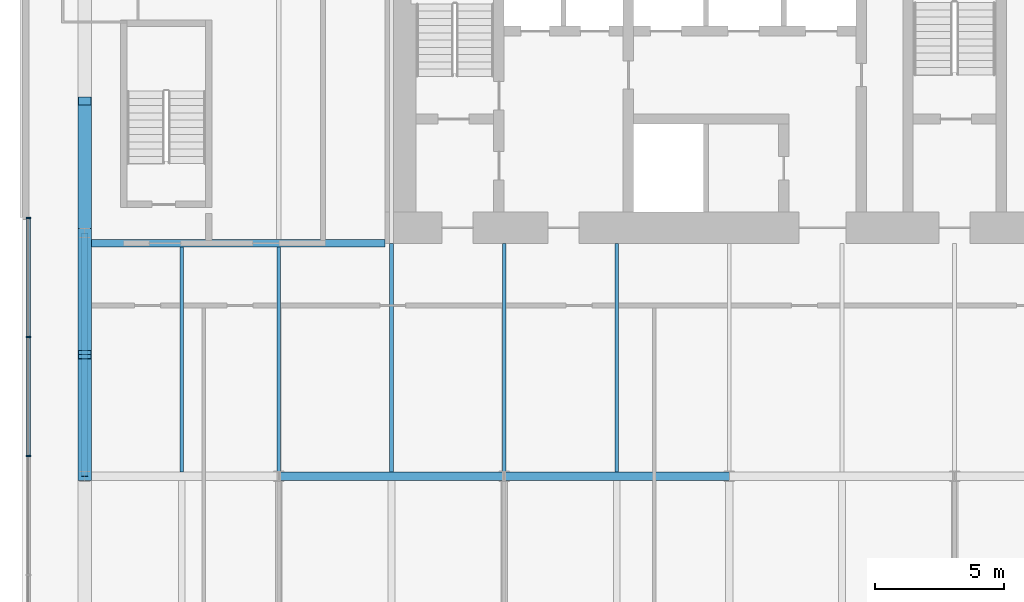
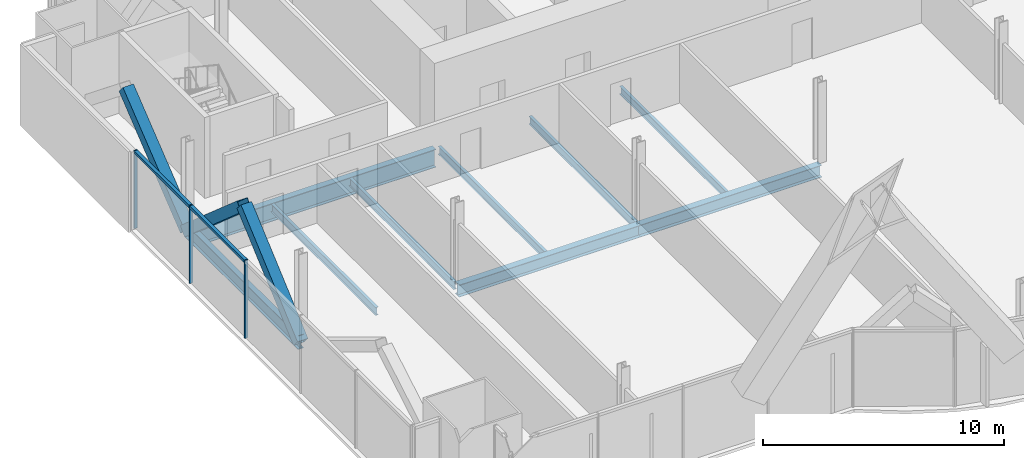
# One storey, part 7 of 22: 9 beams, 8 members, 1 element without a shape of its own.
"""IFC4 building model written with IfcOpenShell, lengths in metres."""

from ifc_helpers import new_model, si_unit, direction, frame, origin, origin_2d, place, context, subcontext, project, spatial, rectangle, hollow_rectangle, i_section, extrude, material, material_profile, profile_set, type_object, element, aggregate, save


model = new_model("IFC4")

# Units and contexts
model_context = context("Model", 3, precision=1e-05, world=origin(), true_north=direction((0.0, 1.0)))
body_context = subcontext(model_context, "Body", "Model", "MODEL_VIEW")
ifc_project = project(units=[si_unit("LENGTHUNIT", "METRE"), si_unit("AREAUNIT", "SQUARE_METRE"), si_unit("VOLUMEUNIT", "CUBIC_METRE"), si_unit("PLANEANGLEUNIT", "RADIAN"), si_unit("MASSUNIT", "GRAM", prefix="KILO")], contexts=[model_context])

# Site, building, storey
site_placement = place(None, origin())
site = spatial("IfcSite", under=ifc_project, at=site_placement, CompositionType="ELEMENT")
building_placement = place(site_placement, origin())
building = spatial("IfcBuilding", under=site, at=building_placement, Name="Bicima Exchange Tower", CompositionType="ELEMENT")
storey_placement = place(building_placement, frame((0.0, 0.0, 102.199951171875)))
storey = spatial("IfcBuildingStorey", under=building, at=storey_placement, Name="L21", CompositionType="ELEMENT", Elevation=102.199951171875)

# Beam
ifc_material_1 = material(Name="Steel ASTM A992 Gr 50", Category="steel")
ifc_material_profile_1 = material_profile(ifc_material_1, i_section(OverallWidth=0.3046875, OverallDepth=0.911865234375, WebThickness=0.015869140625, FlangeThickness=0.02392578125, at=origin_2d()))
ifc_profile_set_1 = profile_set([ifc_material_profile_1], Name="Steel ASTM A992 Gr 50")
beam_type_1 = type_object("IfcBeamType", Name="Core-line girder W36x150", PredefinedType="BEAM", material=ifc_profile_set_1)
beam_1_placement = place(storey_placement, frame((-22.0, -13.0, -0.60595703125), z_axis=(-1.0, 0.0, 0.0), x_axis=(0.0, -1.0, 0.0)))
element("IfcBeam", 1, at=beam_1_placement, inside=storey, type_object=beam_type_1, Name="Core-line girder", PredefinedType="BEAM", context=body_context, shape_type="SweptSolid", body=[
    extrude(i_section(OverallWidth=0.3046875, OverallDepth=0.911865234375, WebThickness=0.015869140625, FlangeThickness=0.02392578125, at=origin_2d()), origin(), (0.0, 0.0, 1.0), 11.60009765625),
])

# Curtain wall, members
ifc_material_2 = material(Name="Anodised bronze aluminium", Category="aluminium")
curtain_wall_type = type_object("IfcCurtainWallType", Name="End face glass wall", PredefinedType="NOTDEFINED", material=ifc_material_2)
curtain_wall_placement = place(storey_placement, origin())
curtain_wall = element("IfcCurtainWall", 2, at=curtain_wall_placement, inside=storey, type_object=curtain_wall_type, Name="End face glass wall L21 run 2", PredefinedType="NOTDEFINED")
ifc_material_profile_2 = material_profile(ifc_material_2, rectangle(XDim=0.159912109375, YDim=0.06005859375, at=origin_2d()))
ifc_profile_set_2 = profile_set([ifc_material_profile_2], Name="Anodised bronze aluminium")
member_type_1 = type_object("IfcMemberType", Name="End face glass wall mullion 60 x 160", PredefinedType="MULLION", material=ifc_profile_set_2)
member_1_placement = place(storey_placement, frame((-35.77001953125, -12.030029296875, 0.0), z_axis=(0.0, 0.0, 1.0), x_axis=(1.0, 0.0, 0.0)))
member_1 = element("IfcMember", 3, at=member_1_placement, type_object=member_type_1, Name="End face glass wall mullion 1", PredefinedType="MULLION", context=body_context, shape_type="SweptSolid", body=[
    extrude(rectangle(XDim=0.159912109375, YDim=0.06005859375, at=origin_2d()), origin(), (0.0, 0.0, 1.0), 3.949951171875),
])
member_2_placement = place(storey_placement, frame((-35.77001953125, -16.6240234375, 0.0), z_axis=(0.0, 0.0, 1.0), x_axis=(1.0, 0.0, 0.0)))
member_2 = element("IfcMember", 4, at=member_2_placement, type_object=member_type_1, Name="End face glass wall mullion 2", PredefinedType="MULLION", context=body_context, shape_type="SweptSolid", body=[
    extrude(rectangle(XDim=0.159912109375, YDim=0.06005859375, at=origin_2d()), origin(), (0.0, 0.0, 1.0), 3.949951171875),
])
member_3_placement = place(storey_placement, frame((-35.77001953125, -21.218017578125, 0.0), z_axis=(0.0, 0.0, 1.0), x_axis=(1.0, 0.0, 0.0)))
member_3 = element("IfcMember", 5, at=member_3_placement, type_object=member_type_1, Name="End face glass wall mullion 3", PredefinedType="MULLION", context=body_context, shape_type="SweptSolid", body=[
    extrude(rectangle(XDim=0.159912109375, YDim=0.06005859375, at=origin_2d()), origin(), (0.0, 0.0, 1.0), 3.949951171875),
])
ifc_material_profile_3 = material_profile(ifc_material_2, rectangle(XDim=0.159912109375, YDim=0.139892578125, at=origin_2d()))
ifc_profile_set_3 = profile_set([ifc_material_profile_3], Name="Anodised bronze aluminium")
member_type_2 = type_object("IfcMemberType", Name="End face glass wall transom 140 x 160", PredefinedType="USERDEFINED", material=ifc_profile_set_3)
member_4_placement = place(storey_placement, frame((-35.77001953125, -12.06005859375, 3.880126953125), z_axis=(0.0, -1.0, 0.0), x_axis=(1.0, 0.0, 0.0)))
member_4 = element("IfcMember", 6, at=member_4_placement, type_object=member_type_2, Name="End face glass wall transom 1.1", ObjectType="TRANSOM", PredefinedType="USERDEFINED", context=body_context, shape_type="SweptSolid", body=[
    extrude(rectangle(XDim=0.159912109375, YDim=0.139892578125, at=origin_2d()), origin(), (0.0, 0.0, 1.0), 4.533935546875),
])
member_5_placement = place(storey_placement, frame((-35.77001953125, -16.654052734375, 3.880126953125), z_axis=(0.0, -1.0, 0.0), x_axis=(1.0, 0.0, 0.0)))
member_5 = element("IfcMember", 7, at=member_5_placement, type_object=member_type_2, Name="End face glass wall transom 2.1", ObjectType="TRANSOM", PredefinedType="USERDEFINED", context=body_context, shape_type="SweptSolid", body=[
    extrude(rectangle(XDim=0.159912109375, YDim=0.139892578125, at=origin_2d()), origin(), (0.0, 0.0, 1.0), 4.533935546875),
])
aggregate(curtain_wall, [member_1, member_2, member_3, member_4, member_5])

# Beams
ifc_material_profile_4 = material_profile(ifc_material_1, i_section(OverallWidth=0.256591796875, OverallDepth=0.693359375, WebThickness=0.014404296875, FlangeThickness=0.023681640625, at=origin_2d()))
ifc_profile_set_4 = profile_set([ifc_material_profile_4], Name="Steel ASTM A992 Gr 50")
beam_type_2 = type_object("IfcBeamType", Name="End girder W27x114", PredefinedType="BEAM", material=ifc_profile_set_4)
beam_2_placement = place(storey_placement, frame((-33.60009765625, -12.60009765625, -0.49658203125), z_axis=(0.0, -1.0, 0.0), x_axis=(1.0, 0.0, 0.0)))
element("IfcBeam", 8, at=beam_2_placement, inside=storey, type_object=beam_type_2, Name="End girder", PredefinedType="BEAM", context=body_context, shape_type="SweptSolid", body=[
    extrude(i_section(OverallWidth=0.256591796875, OverallDepth=0.693359375, WebThickness=0.014404296875, FlangeThickness=0.023681640625, at=origin_2d()), origin(), (0.0, 0.0, 1.0), 9.39990234375),
])
ifc_material_profile_5 = material_profile(ifc_material_1, i_section(OverallWidth=0.140380859375, OverallDepth=0.40380859375, WebThickness=0.007080078125, FlangeThickness=0.01123046875, at=origin_2d()))
ifc_profile_set_5 = profile_set([ifc_material_profile_5], Name="Steel ASTM A992 Gr 50")
beam_type_3 = type_object("IfcBeamType", Name="Floor beam W16x31", PredefinedType="JOIST", material=ifc_profile_set_5)
for number, where, z_axis, x_axis, name in (
    (9, (-29.85009765625, -13.15234375, -0.351806640625), (0.0, -1.0, 0.0), (1.0, 0.0, 0.0), "Floor beam"),
    (10, (-26.10009765625, -13.15234375, -0.351806640625), (0.0, -1.0, 0.0), (1.0, 0.0, 0.0), "Floor beam"),
):
    element("IfcBeam", number, at=place(storey_placement, frame(where, z_axis=z_axis, x_axis=x_axis)), inside=storey, type_object=beam_type_3, Name=name, PredefinedType="JOIST", context=body_context, shape_type="SweptSolid", body=[
        extrude(i_section(OverallWidth=0.140380859375, OverallDepth=0.40380859375, WebThickness=0.007080078125, FlangeThickness=0.01123046875, at=origin_2d()), origin(), (0.0, 0.0, 1.0), 8.68505859375),
    ])
for number, where, z_axis, x_axis, name in (
    (11, (-21.75, -13.0, -0.351806640625), (0.0, -1.0, 0.0), (1.0, 0.0, 0.0), "Floor beam"),
    (12, (-17.39990234375, -13.0, -0.351806640625), (0.0, -1.0, 0.0), (1.0, 0.0, 0.0), "Floor beam"),
    (13, (-13.050048828125, -13.0, -0.351806640625), (0.0, -1.0, 0.0), (1.0, 0.0, 0.0), "Floor beam"),
):
    element("IfcBeam", number, at=place(storey_placement, frame(where, z_axis=z_axis, x_axis=x_axis)), inside=storey, type_object=beam_type_3, Name=name, PredefinedType="JOIST", context=body_context, shape_type="SweptSolid", body=[
        extrude(i_section(OverallWidth=0.140380859375, OverallDepth=0.40380859375, WebThickness=0.007080078125, FlangeThickness=0.01123046875, at=origin_2d()), origin(), (0.0, 0.0, 1.0), 8.83740234375),
    ])

# Members
ifc_material_3 = material(Name="Steel ASTM A572 Gr 50", Category="steel")
ifc_material_profile_6 = material_profile(ifc_material_3, hollow_rectangle(XDim=0.508056640625, YDim=0.508056640625, WallThickness=0.0146484375, at=origin_2d()))
ifc_profile_set_6 = profile_set([ifc_material_profile_6], Name="Steel ASTM A572 Gr 50")
member_type_3 = type_object("IfcMemberType", Name="Mega brace HSS20x20x5/8", PredefinedType="BRACE", material=ifc_profile_set_6)
member_6_placement = place(storey_placement, frame((-33.60009765625, -12.60009765625, -0.49658203125), z_axis=(0.0, 0.779392460608, 0.626536026376), x_axis=(-1.0, 0.0, 0.0)))
element("IfcMember", 14, at=member_6_placement, inside=storey, type_object=member_type_3, Name="Mega brace west end", PredefinedType="BRACE", context=body_context, shape_type="SweptSolid", body=[
    extrude(hollow_rectangle(XDim=0.508056640625, YDim=0.508056640625, WallThickness=0.0146484375, at=origin_2d()), origin(), (0.0, 0.0, 1.0), 6.543701171875),
])
for number, where, z_axis, x_axis, name in (
    (15, (-33.60009765625, -12.60009765625, -0.49658203125), (0.0, -0.753577308711, 0.657359292774), (1.0, 0.0, 0.0), "Mega brace west end"),
    (16, (-33.60009765625, -22.0, -0.49658203125), (0.0, 0.753577308711, 0.657359292774), (-1.0, 0.0, 0.0), "Mega brace west end"),
):
    element("IfcMember", number, at=place(storey_placement, frame(where, z_axis=z_axis, x_axis=x_axis)), inside=storey, type_object=member_type_3, Name=name, PredefinedType="BRACE", context=body_context, shape_type="SweptSolid", body=[
        extrude(hollow_rectangle(XDim=0.508056640625, YDim=0.508056640625, WallThickness=0.0146484375, at=origin_2d()), origin(), (0.0, 0.0, 1.0), 6.23681640625),
    ])

# Beams
ifc_material_profile_7 = material_profile(ifc_material_1, i_section(OverallWidth=0.3251953125, OverallDepth=0.612060546875, WebThickness=0.0126953125, FlangeThickness=0.01904296875, at=origin_2d()))
ifc_profile_set_7 = profile_set([ifc_material_profile_7], Name="Steel ASTM A992 Gr 50")
beam_type_4 = type_object("IfcBeamType", Name="Row girder W24x104", PredefinedType="BEAM", material=ifc_profile_set_7)
beam_3_placement = place(storey_placement, frame((-26.10009765625, -22.0, -0.4560546875), z_axis=(1.0, 0.0, 0.0), x_axis=(0.0, 1.0, 0.0)))
element("IfcBeam", 17, at=beam_3_placement, inside=storey, type_object=beam_type_4, Name="Row girder", PredefinedType="BEAM", context=body_context, shape_type="SweptSolid", body=[
    extrude(i_section(OverallWidth=0.3251953125, OverallDepth=0.612060546875, WebThickness=0.0126953125, FlangeThickness=0.01904296875, at=origin_2d()), origin(), (0.0, 0.0, 1.0), 8.7001953125),
])
beam_4_placement = place(storey_placement, frame((-17.39990234375, -22.0, -0.4560546875), z_axis=(1.0, 0.0, 0.0), x_axis=(0.0, 1.0, 0.0)))
element("IfcBeam", 18, at=beam_4_placement, inside=storey, type_object=beam_type_4, Name="Row girder", PredefinedType="BEAM", context=body_context, shape_type="SweptSolid", body=[
    extrude(i_section(OverallWidth=0.3251953125, OverallDepth=0.612060546875, WebThickness=0.0126953125, FlangeThickness=0.01904296875, at=origin_2d()), origin(), (0.0, 0.0, 1.0), 8.699951171875),
])

save(model, "model.ifc")
